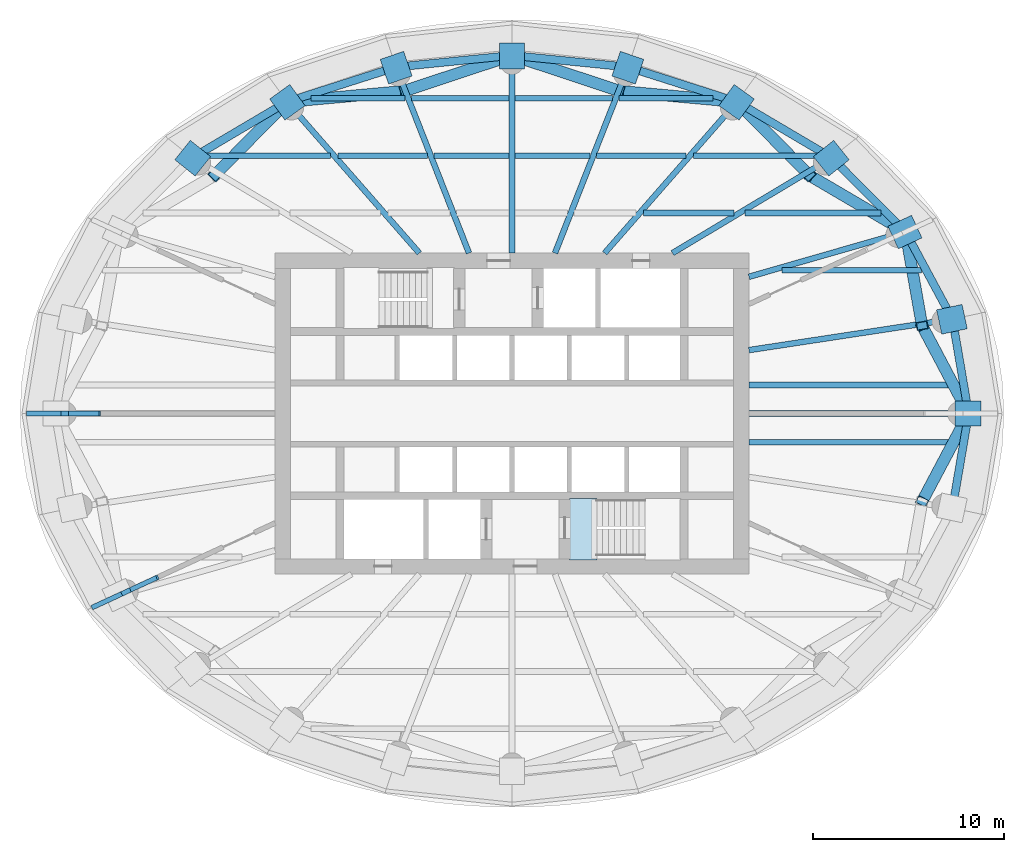
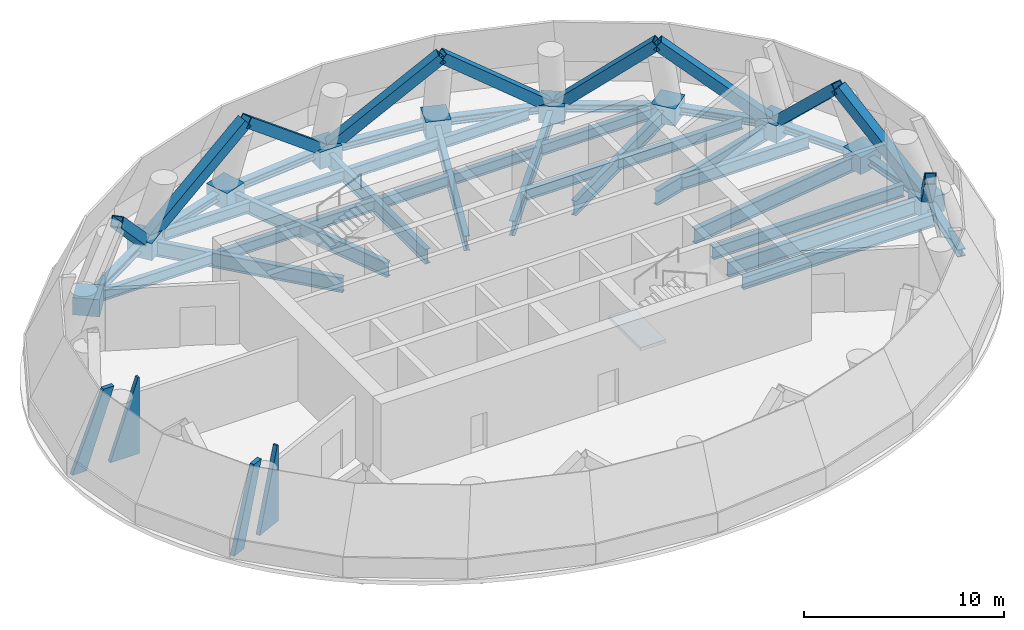
# One storey, part 3 of 7: 44 beams, 10 members, 4 plates, 1 slab, 1 element without a shape of its own.
"""IFC4 building model written with IfcOpenShell, lengths in metres."""

from ifc_helpers import new_model, si_unit, direction, frame, origin, origin_2d, place, context, subcontext, project, spatial, polyline, rectangle, hollow_rectangle, i_section, outline, extrude, material, layer, layer_set, material_profile, profile_set, type_object, element, aggregate, save


model = new_model("IFC4")

# Units and contexts
model_context = context("Model", 3, precision=1e-05, world=origin(), true_north=direction((0.0, 1.0)))
body_context = subcontext(model_context, "Body", "Model", "MODEL_VIEW")
ifc_project = project(units=[si_unit("LENGTHUNIT", "METRE"), si_unit("AREAUNIT", "SQUARE_METRE"), si_unit("VOLUMEUNIT", "CUBIC_METRE"), si_unit("PLANEANGLEUNIT", "RADIAN"), si_unit("MASSUNIT", "GRAM", prefix="KILO")], contexts=[model_context])

# Site, building, storey
site_placement = place(None, origin())
site = spatial("IfcSite", under=ifc_project, at=site_placement, CompositionType="ELEMENT")
building_placement = place(site_placement, origin())
building = spatial("IfcBuilding", under=site, at=building_placement, Name="Hankou Lantern Tower", CompositionType="ELEMENT")
storey_placement = place(building_placement, frame((0.0, 0.0, 138.60009765625)))
storey = spatial("IfcBuildingStorey", under=building, at=storey_placement, Name="L36", CompositionType="ELEMENT", Elevation=138.60009765625)

# Members
ifc_material_1 = material(Name="Steel Q390GJ", Category="steel")
ifc_material_profile_1 = material_profile(ifc_material_1, hollow_rectangle(XDim=0.60009765625, YDim=0.60009765625, WallThickness=0.0400390625, at=origin_2d()), Name="BOX600x600x40")
ifc_profile_set_1 = profile_set([ifc_material_profile_1], Name="Steel Q390GJ")
member_type = type_object("IfcMemberType", Name="BD1 BELT TRUSS DIAGONAL BOX600x600x40", PredefinedType="BRACE", material=ifc_profile_set_1)
member_1_placement = place(storey_placement, frame((23.89990234375, 0.0, -0.464111328125), z_axis=(-0.341868121713, 0.645347566232, 0.68311983291), x_axis=(-0.883666983267, -0.468116078215, 0.0)))
element("IfcMember", 1, at=member_1_placement, inside=storey, type_object=member_type, Name="Belt truss diagonal bay R01 L36", PredefinedType="BRACE", context=body_context, shape_type="SweptSolid", body=[
    extrude(hollow_rectangle(XDim=0.60009765625, YDim=0.60009765625, WallThickness=0.0400390625, at=origin_2d()), origin(), (0.0, 0.0, 1.0), 7.129150390625),
])
member_2_placement = place(storey_placement, frame((20.595703125, 9.5126953125, -0.464111328125), z_axis=(0.124362724822, -0.7046053677, 0.698616624826), x_axis=(0.984778630802, 0.17381325702, 0.0)))
element("IfcMember", 2, at=member_2_placement, inside=storey, type_object=member_type, Name="Belt truss diagonal bay R02 L36", PredefinedType="BRACE", context=body_context, shape_type="SweptSolid", body=[
    extrude(hollow_rectangle(XDim=0.60009765625, YDim=0.60009765625, WallThickness=0.0400390625, at=origin_2d()), origin(), (0.0, 0.0, 1.0), 6.97119140625),
])
member_3_placement = place(storey_placement, frame((20.595703125, 9.5126953125, -0.464111328125), z_axis=(-0.661347631005, 0.388445233075, 0.6416616023), x_axis=(-0.506455512251, -0.862266092405, 0.0)))
element("IfcMember", 3, at=member_3_placement, inside=storey, type_object=member_type, Name="Belt truss diagonal bay R03 L36", PredefinedType="BRACE", context=body_context, shape_type="SweptSolid", body=[
    extrude(hollow_rectangle(XDim=0.60009765625, YDim=0.60009765625, WallThickness=0.0400390625, at=origin_2d()), origin(), (0.0, 0.0, 1.0), 7.58984375),
])
member_4_placement = place(storey_placement, frame((11.775390625, 16.31640625, -0.464111328125), z_axis=(0.52193655794, -0.529446436471, 0.668781504225), x_axis=(0.71213937732, 0.702038109557, 0.0)))
element("IfcMember", 4, at=member_4_placement, inside=storey, type_object=member_type, Name="Belt truss diagonal bay R04 L36", PredefinedType="BRACE", context=body_context, shape_type="SweptSolid", body=[
    extrude(hollow_rectangle(XDim=0.60009765625, YDim=0.60009765625, WallThickness=0.0400390625, at=origin_2d()), origin(), (0.0, 0.0, 1.0), 7.281982421875),
])
member_5_placement = place(storey_placement, frame((11.775390625, 16.31640625, -0.464111328125), z_axis=(-0.780602595424, 0.071529817541, 0.620921148956), x_axis=(-0.091251790565, -0.99582785195, 0.0)))
element("IfcMember", 5, at=member_5_placement, inside=storey, type_object=member_type, Name="Belt truss diagonal bay R05 L36", PredefinedType="BRACE", context=body_context, shape_type="SweptSolid", body=[
    extrude(hollow_rectangle(XDim=0.60009765625, YDim=0.60009765625, WallThickness=0.0400390625, at=origin_2d()), origin(), (0.0, 0.0, 1.0), 7.84326171875),
])
for number, where, z_axis, x_axis, name in (
    (6, (0.0, 18.75, -0.464111328125), (0.734822034242, -0.243417336211, 0.633075491883), (0.314456093252, 0.949272018663, 0.0), "Belt truss diagonal bay R06 L36"),
    (7, (0.0, 18.75, -0.464111328125), (-0.734822034242, -0.243417336211, 0.633075491883), (0.314456093252, -0.949272018663, 0.0), "Belt truss diagonal bay R07 L36"),
):
    element("IfcMember", number, at=place(storey_placement, frame(where, z_axis=z_axis, x_axis=x_axis)), inside=storey, type_object=member_type, Name=name, PredefinedType="BRACE", context=body_context, shape_type="SweptSolid", body=[
        extrude(hollow_rectangle(XDim=0.60009765625, YDim=0.60009765625, WallThickness=0.0400390625, at=origin_2d()), origin(), (0.0, 0.0, 1.0), 7.69287109375),
    ])
member_6_placement = place(storey_placement, frame((-11.775390625, 16.31640625, -0.464111328125), z_axis=(0.780602595424, 0.071529817541, 0.620921148956), x_axis=(-0.091251790565, 0.99582785195, 0.0)))
element("IfcMember", 8, at=member_6_placement, inside=storey, type_object=member_type, Name="Belt truss diagonal bay R08 L36", PredefinedType="BRACE", context=body_context, shape_type="SweptSolid", body=[
    extrude(hollow_rectangle(XDim=0.60009765625, YDim=0.60009765625, WallThickness=0.0400390625, at=origin_2d()), origin(), (0.0, 0.0, 1.0), 7.84326171875),
])
member_7_placement = place(storey_placement, frame((-11.775390625, 16.31640625, -0.464111328125), z_axis=(-0.52193655794, -0.529446436471, 0.668781504225), x_axis=(0.71213937732, -0.702038109557, 0.0)))
element("IfcMember", 9, at=member_7_placement, inside=storey, type_object=member_type, Name="Belt truss diagonal bay R09 L36", PredefinedType="BRACE", context=body_context, shape_type="SweptSolid", body=[
    extrude(hollow_rectangle(XDim=0.60009765625, YDim=0.60009765625, WallThickness=0.0400390625, at=origin_2d()), origin(), (0.0, 0.0, 1.0), 7.281982421875),
])
member_8_placement = place(storey_placement, frame((23.89990234375, 0.0, -0.464111328125), z_axis=(-0.341868121713, -0.645347566232, 0.68311983291), x_axis=(0.883666983267, -0.468116078215, 0.0)))
element("IfcMember", 10, at=member_8_placement, inside=storey, type_object=member_type, Name="Belt truss diagonal bay R24 L36", PredefinedType="BRACE", context=body_context, shape_type="SweptSolid", body=[
    extrude(hollow_rectangle(XDim=0.60009765625, YDim=0.60009765625, WallThickness=0.0400390625, at=origin_2d()), origin(), (0.0, 0.0, 1.0), 7.129150390625),
])

# Beams
ifc_material_2 = material(Name="Steel Q355B", Category="steel")
ifc_material_profile_2 = material_profile(ifc_material_2, i_section(OverallWidth=0.4169921875, OverallDepth=0.4580078125, WebThickness=0.030029296875, FlangeThickness=0.050048828125, FilletRadius=0.02197265625, at=origin_2d()), Name="HW458x417x30x50")
ifc_profile_set_2 = profile_set([ifc_material_profile_2], Name="Steel Q355B")
beam_type_1 = type_object("IfcBeamType", Name="EB21 RING BEAM HW458x417x30x50", PredefinedType="SPANDREL", material=ifc_profile_set_2)
beam_1_placement = place(storey_placement, frame((23.89990234375, 0.0, -0.47900390625), z_axis=(-0.168527258545, 0.985696993567, 0.0), x_axis=(-0.985696993567, -0.168527258545, 0.0)))
element("IfcBeam", 11, at=beam_1_placement, inside=storey, type_object=beam_type_1, Name="Ring beam R01-R02 L36", PredefinedType="SPANDREL", context=body_context, shape_type="SweptSolid", body=[
    extrude(i_section(OverallWidth=0.4169921875, OverallDepth=0.4580078125, WebThickness=0.030029296875, FlangeThickness=0.050048828125, FilletRadius=0.02197265625, at=origin_2d()), origin(), (0.0, 0.0, 1.0), 5.013916015625),
])
beam_2_placement = place(storey_placement, frame((23.054931640625, 4.942138671875, -0.47900390625), z_axis=(-0.473824901673, 0.880619079145, 0.0), x_axis=(-0.880619079145, -0.473824901673, 0.0)))
element("IfcBeam", 12, at=beam_2_placement, inside=storey, type_object=beam_type_1, Name="Ring beam R02-R03 L36", PredefinedType="SPANDREL", context=body_context, shape_type="SweptSolid", body=[
    extrude(i_section(OverallWidth=0.4169921875, OverallDepth=0.4580078125, WebThickness=0.030029296875, FlangeThickness=0.050048828125, FilletRadius=0.02197265625, at=origin_2d()), origin(), (0.0, 0.0, 1.0), 5.190185546875),
])
beam_3_placement = place(storey_placement, frame((20.595703125, 9.5126953125, -0.47900390625), z_axis=(-0.705945468625, 0.708266189599, 0.0), x_axis=(-0.708266189599, -0.705945468625, 0.0)))
element("IfcBeam", 13, at=beam_3_placement, inside=storey, type_object=beam_type_1, Name="Ring beam R03-R04 L36", PredefinedType="SPANDREL", context=body_context, shape_type="SweptSolid", body=[
    extrude(i_section(OverallWidth=0.4169921875, OverallDepth=0.4580078125, WebThickness=0.030029296875, FlangeThickness=0.050048828125, FilletRadius=0.02197265625, at=origin_2d()), origin(), (0.0, 0.0, 1.0), 5.470458984375),
])
beam_4_placement = place(storey_placement, frame((16.73388671875, 13.38720703125, -0.47900390625), z_axis=(-0.860988974188, 0.508623619513, 0.0), x_axis=(-0.508623619513, -0.860988974188, 0.0)))
element("IfcBeam", 14, at=beam_4_placement, inside=storey, type_object=beam_type_1, Name="Ring beam R04-R05 L36", PredefinedType="SPANDREL", context=body_context, shape_type="SweptSolid", body=[
    extrude(i_section(OverallWidth=0.4169921875, OverallDepth=0.4580078125, WebThickness=0.030029296875, FlangeThickness=0.050048828125, FilletRadius=0.02197265625, at=origin_2d()), origin(), (0.0, 0.0, 1.0), 5.759033203125),
])
beam_5_placement = place(storey_placement, frame((11.775390625, 16.31640625, -0.47900390625), z_axis=(-0.952731090451, 0.303814860215, 0.0), x_axis=(-0.303814860215, -0.952731090451, 0.0)))
element("IfcBeam", 15, at=beam_5_placement, inside=storey, type_object=beam_type_1, Name="Ring beam R05-R06 L36", PredefinedType="SPANDREL", context=body_context, shape_type="SweptSolid", body=[
    extrude(i_section(OverallWidth=0.4169921875, OverallDepth=0.4580078125, WebThickness=0.030029296875, FlangeThickness=0.050048828125, FilletRadius=0.02197265625, at=origin_2d()), origin(), (0.0, 0.0, 1.0), 5.984375),
])
for number, where, z_axis, x_axis, name in (
    (16, (6.073974609375, 18.134521484375, -0.47900390625), (-0.994905271594, 0.100814188259, 0.0), (-0.100814188259, -0.994905271594, 0.0), "Ring beam R06-R07 L36"),
    (17, (0.0, 18.75, -0.47900390625), (-0.994905271594, -0.100814188259, 0.0), (0.100814188259, -0.994905271594, 0.0), "Ring beam R07-R08 L36"),
):
    element("IfcBeam", number, at=place(storey_placement, frame(where, z_axis=z_axis, x_axis=x_axis)), inside=storey, type_object=beam_type_1, Name=name, PredefinedType="SPANDREL", context=body_context, shape_type="SweptSolid", body=[
        extrude(i_section(OverallWidth=0.4169921875, OverallDepth=0.4580078125, WebThickness=0.030029296875, FlangeThickness=0.050048828125, FilletRadius=0.02197265625, at=origin_2d()), origin(), (0.0, 0.0, 1.0), 6.10498046875),
    ])
beam_6_placement = place(storey_placement, frame((-6.073974609375, 18.134521484375, -0.47900390625), z_axis=(-0.952731090451, -0.303814860215, 0.0), x_axis=(0.303814860215, -0.952731090451, 0.0)))
element("IfcBeam", 18, at=beam_6_placement, inside=storey, type_object=beam_type_1, Name="Ring beam R08-R09 L36", PredefinedType="SPANDREL", context=body_context, shape_type="SweptSolid", body=[
    extrude(i_section(OverallWidth=0.4169921875, OverallDepth=0.4580078125, WebThickness=0.030029296875, FlangeThickness=0.050048828125, FilletRadius=0.02197265625, at=origin_2d()), origin(), (0.0, 0.0, 1.0), 5.984375),
])
beam_7_placement = place(storey_placement, frame((-11.775390625, 16.31640625, -0.47900390625), z_axis=(-0.860988974188, -0.508623619513, 0.0), x_axis=(0.508623619513, -0.860988974188, 0.0)))
element("IfcBeam", 19, at=beam_7_placement, inside=storey, type_object=beam_type_1, Name="Ring beam R09-R10 L36", PredefinedType="SPANDREL", context=body_context, shape_type="SweptSolid", body=[
    extrude(i_section(OverallWidth=0.4169921875, OverallDepth=0.4580078125, WebThickness=0.030029296875, FlangeThickness=0.050048828125, FilletRadius=0.02197265625, at=origin_2d()), origin(), (0.0, 0.0, 1.0), 5.759033203125),
])
beam_8_placement = place(storey_placement, frame((23.054931640625, -4.942138671875, -0.47900390625), z_axis=(0.168527258545, 0.985696993567, 0.0), x_axis=(-0.985696993567, 0.168527258545, 0.0)))
element("IfcBeam", 20, at=beam_8_placement, inside=storey, type_object=beam_type_1, Name="Ring beam R24-R01 L36", PredefinedType="SPANDREL", context=body_context, shape_type="SweptSolid", body=[
    extrude(i_section(OverallWidth=0.4169921875, OverallDepth=0.4580078125, WebThickness=0.030029296875, FlangeThickness=0.050048828125, FilletRadius=0.02197265625, at=origin_2d()), origin(), (0.0, 0.0, 1.0), 5.013916015625),
])
ifc_material_3 = material(Name="Steel Q355B", Category="steel")
ifc_material_profile_3 = material_profile(ifc_material_3, i_section(OverallWidth=0.300048828125, OverallDepth=0.89990234375, WebThickness=0.01611328125, FlangeThickness=0.028076171875, FilletRadius=0.01806640625, at=origin_2d()), Name="HN900x300x16x28")
ifc_profile_set_3 = profile_set([ifc_material_profile_3], Name="Steel Q355B")
beam_type_2 = type_object("IfcBeamType", Name="RB13 RADIAL BEAM HN900x300x16x28", PredefinedType="BEAM", material=ifc_profile_set_3)
beam_9_placement = place(storey_placement, frame((12.39990234375, 0.0, -0.7001953125), z_axis=(1.0, 0.0, 0.0), x_axis=(0.0, 1.0, 0.0)))
element("IfcBeam", 21, at=beam_9_placement, inside=storey, type_object=beam_type_2, Name="Radial beam R01 L36", PredefinedType="BEAM", context=body_context, shape_type="SweptSolid", body=[
    extrude(i_section(OverallWidth=0.300048828125, OverallDepth=0.89990234375, WebThickness=0.01611328125, FlangeThickness=0.028076171875, FilletRadius=0.01806640625, at=origin_2d()), origin(), (0.0, 0.0, 1.0), 11.5),
])
beam_10_placement = place(storey_placement, frame((12.39990234375, 3.322509765625, -0.7001953125), z_axis=(0.988643506875, 0.150279793429, 0.0), x_axis=(-0.150279793429, 0.988643506875, 0.0)))
element("IfcBeam", 22, at=beam_10_placement, inside=storey, type_object=beam_type_2, Name="Radial beam R02 L36", PredefinedType="BEAM", context=body_context, shape_type="SweptSolid", body=[
    extrude(i_section(OverallWidth=0.300048828125, OverallDepth=0.89990234375, WebThickness=0.01611328125, FlangeThickness=0.028076171875, FilletRadius=0.01806640625, at=origin_2d()), origin(), (0.0, 0.0, 1.0), 10.77734375),
])
beam_11_placement = place(storey_placement, frame((12.39990234375, 7.1591796875, -0.7001953125), z_axis=(0.961155741911, 0.276006593745, 0.0), x_axis=(-0.276006593745, 0.961155741911, 0.0)))
element("IfcBeam", 23, at=beam_11_placement, inside=storey, type_object=beam_type_2, Name="Radial beam R03 L36", PredefinedType="BEAM", context=body_context, shape_type="SweptSolid", body=[
    extrude(i_section(OverallWidth=0.300048828125, OverallDepth=0.89990234375, WebThickness=0.01611328125, FlangeThickness=0.028076171875, FilletRadius=0.01806640625, at=origin_2d()), origin(), (0.0, 0.0, 1.0), 8.527099609375),
])
beam_12_placement = place(storey_placement, frame((8.39990234375, 8.39990234375, -0.7001953125), z_axis=(0.858086776551, 0.513504706802, 0.0), x_axis=(-0.513504706802, 0.858086776551, 0.0)))
element("IfcBeam", 24, at=beam_12_placement, inside=storey, type_object=beam_type_2, Name="Radial beam R04 L36", PredefinedType="BEAM", context=body_context, shape_type="SweptSolid", body=[
    extrude(i_section(OverallWidth=0.300048828125, OverallDepth=0.89990234375, WebThickness=0.01611328125, FlangeThickness=0.028076171875, FilletRadius=0.01806640625, at=origin_2d()), origin(), (0.0, 0.0, 1.0), 9.71240234375),
])
beam_13_placement = place(storey_placement, frame((4.849853515625, 8.39990234375, -0.7001953125), z_axis=(0.658429014446, 0.752642832249, 0.0), x_axis=(-0.752642832249, 0.658429014446, 0.0)))
element("IfcBeam", 25, at=beam_13_placement, inside=storey, type_object=beam_type_2, Name="Radial beam R05 L36", PredefinedType="BEAM", context=body_context, shape_type="SweptSolid", body=[
    extrude(i_section(OverallWidth=0.300048828125, OverallDepth=0.89990234375, WebThickness=0.01611328125, FlangeThickness=0.028076171875, FilletRadius=0.01806640625, at=origin_2d()), origin(), (0.0, 0.0, 1.0), 10.518310546875),
])
beam_14_placement = place(storey_placement, frame((2.250732421875, 8.39990234375, -0.7001953125), z_axis=(0.365563535437, 0.930786388791, 0.0), x_axis=(-0.930786388791, 0.365563535437, 0.0)))
element("IfcBeam", 26, at=beam_14_placement, inside=storey, type_object=beam_type_2, Name="Radial beam R06 L36", PredefinedType="BEAM", context=body_context, shape_type="SweptSolid", body=[
    extrude(i_section(OverallWidth=0.300048828125, OverallDepth=0.89990234375, WebThickness=0.01611328125, FlangeThickness=0.028076171875, FilletRadius=0.01806640625, at=origin_2d()), origin(), (0.0, 0.0, 1.0), 10.45849609375),
])
beam_15_placement = place(storey_placement, frame((0.0, 8.39990234375, -0.7001953125), z_axis=(0.0, 1.0, 0.0), x_axis=(-1.0, 0.0, 0.0)))
element("IfcBeam", 27, at=beam_15_placement, inside=storey, type_object=beam_type_2, Name="Radial beam R07 L36", PredefinedType="BEAM", context=body_context, shape_type="SweptSolid", body=[
    extrude(i_section(OverallWidth=0.300048828125, OverallDepth=0.89990234375, WebThickness=0.01611328125, FlangeThickness=0.028076171875, FilletRadius=0.01806640625, at=origin_2d()), origin(), (0.0, 0.0, 1.0), 10.35009765625),
])
beam_16_placement = place(storey_placement, frame((-2.250732421875, 8.39990234375, -0.7001953125), z_axis=(-0.365563535437, 0.930786388791, 0.0), x_axis=(-0.930786388791, -0.365563535437, 0.0)))
element("IfcBeam", 28, at=beam_16_placement, inside=storey, type_object=beam_type_2, Name="Radial beam R08 L36", PredefinedType="BEAM", context=body_context, shape_type="SweptSolid", body=[
    extrude(i_section(OverallWidth=0.300048828125, OverallDepth=0.89990234375, WebThickness=0.01611328125, FlangeThickness=0.028076171875, FilletRadius=0.01806640625, at=origin_2d()), origin(), (0.0, 0.0, 1.0), 10.45849609375),
])
beam_17_placement = place(storey_placement, frame((-4.849853515625, 8.39990234375, -0.7001953125), z_axis=(-0.658429014446, 0.752642832249, 0.0), x_axis=(-0.752642832249, -0.658429014446, 0.0)))
element("IfcBeam", 29, at=beam_17_placement, inside=storey, type_object=beam_type_2, Name="Radial beam R09 L36", PredefinedType="BEAM", context=body_context, shape_type="SweptSolid", body=[
    extrude(i_section(OverallWidth=0.300048828125, OverallDepth=0.89990234375, WebThickness=0.01611328125, FlangeThickness=0.028076171875, FilletRadius=0.01806640625, at=origin_2d()), origin(), (0.0, 0.0, 1.0), 10.518310546875),
])
ifc_material_4 = material(Name="Steel Q355B", Category="steel")
ifc_material_profile_4 = material_profile(ifc_material_4, i_section(OverallWidth=0.300048828125, OverallDepth=0.75, WebThickness=0.012939453125, FlangeThickness=0.02392578125, FilletRadius=0.01806640625, at=origin_2d()), Name="HN750x300x13x24")
ifc_profile_set_4 = profile_set([ifc_material_profile_4], Name="Steel Q355B")
beam_type_3 = type_object("IfcBeamType", Name="SB10 SECONDARY BEAM HN750x300x13x24", PredefinedType="JOIST", material=ifc_profile_set_4)
for number, where, z_axis, x_axis, name in (
    (30, (12.39990234375, -1.5, -0.625), (1.0, 0.0, 0.0), (0.0, 1.0, 0.0), "Floor joist J026 L36"),
    (31, (12.39990234375, 1.5, -0.625), (1.0, 0.0, 0.0), (0.0, 1.0, 0.0), "Floor joist J028 L36"),
):
    element("IfcBeam", number, at=place(storey_placement, frame(where, z_axis=z_axis, x_axis=x_axis)), inside=storey, type_object=beam_type_3, Name=name, PredefinedType="JOIST", context=body_context, shape_type="SweptSolid", body=[
        extrude(i_section(OverallWidth=0.300048828125, OverallDepth=0.75, WebThickness=0.012939453125, FlangeThickness=0.02392578125, FilletRadius=0.01806640625, at=origin_2d()), origin(), (0.0, 0.0, 1.0), 11.031982421875),
    ])
beam_18_placement = place(storey_placement, frame((14.13037109375, 7.5, -0.625), z_axis=(1.0, 0.0, 0.0), x_axis=(0.0, 1.0, 0.0)))
element("IfcBeam", 32, at=beam_18_placement, inside=storey, type_object=beam_type_3, Name="Floor joist J034 L36", PredefinedType="JOIST", context=body_context, shape_type="SweptSolid", body=[
    extrude(i_section(OverallWidth=0.300048828125, OverallDepth=0.75, WebThickness=0.012939453125, FlangeThickness=0.02392578125, FilletRadius=0.01806640625, at=origin_2d()), origin(), (0.0, 0.0, 1.0), 7.3115234375),
])
ifc_material_5 = material(Name="Steel Q355B", Category="steel")
ifc_material_profile_5 = material_profile(ifc_material_5, i_section(OverallWidth=0.300048828125, OverallDepth=0.64990234375, WebThickness=0.010986328125, FlangeThickness=0.01708984375, FilletRadius=0.01806640625, at=origin_2d()), Name="HN650x300x11x17")
ifc_profile_set_5 = profile_set([ifc_material_profile_5], Name="Steel Q355B")
beam_type_4 = type_object("IfcBeamType", Name="SB8 SECONDARY BEAM HN650x300x11x17", PredefinedType="JOIST", material=ifc_profile_set_5)
beam_19_placement = place(storey_placement, frame((6.88623046875, 10.5, -0.5751953125), z_axis=(1.0, 0.0, 0.0), x_axis=(0.0, 1.0, 0.0)))
element("IfcBeam", 33, at=beam_19_placement, inside=storey, type_object=beam_type_4, Name="Floor joist J041 L36", PredefinedType="JOIST", context=body_context, shape_type="SweptSolid", body=[
    extrude(i_section(OverallWidth=0.300048828125, OverallDepth=0.64990234375, WebThickness=0.010986328125, FlangeThickness=0.01708984375, FilletRadius=0.01806640625, at=origin_2d()), origin(), (0.0, 0.0, 1.0), 4.73095703125),
])
beam_20_placement = place(storey_placement, frame((12.201416015625, 10.5, -0.5751953125), z_axis=(1.0, 0.0, 0.0), x_axis=(0.0, 1.0, 0.0)))
element("IfcBeam", 34, at=beam_20_placement, inside=storey, type_object=beam_type_4, Name="Floor joist J042 L36", PredefinedType="JOIST", context=body_context, shape_type="SweptSolid", body=[
    extrude(i_section(OverallWidth=0.300048828125, OverallDepth=0.64990234375, WebThickness=0.010986328125, FlangeThickness=0.01708984375, FilletRadius=0.01806640625, at=origin_2d()), origin(), (0.0, 0.0, 1.0), 7.11572265625),
])
beam_21_placement = place(storey_placement, frame((-16.133056640625, 13.5, -0.5751953125), z_axis=(1.0, 0.0, 0.0), x_axis=(0.0, 1.0, 0.0)))
element("IfcBeam", 35, at=beam_21_placement, inside=storey, type_object=beam_type_4, Name="Floor joist J043 L36", PredefinedType="JOIST", context=body_context, shape_type="SweptSolid", body=[
    extrude(i_section(OverallWidth=0.300048828125, OverallDepth=0.64990234375, WebThickness=0.010986328125, FlangeThickness=0.01708984375, FilletRadius=0.01806640625, at=origin_2d()), origin(), (0.0, 0.0, 1.0), 6.622314453125),
])
beam_22_placement = place(storey_placement, frame((-9.112060546875, 13.5, -0.5751953125), z_axis=(1.0, 0.0, 0.0), x_axis=(0.0, 1.0, 0.0)))
element("IfcBeam", 36, at=beam_22_placement, inside=storey, type_object=beam_type_4, Name="Floor joist J044 L36", PredefinedType="JOIST", context=body_context, shape_type="SweptSolid", body=[
    extrude(i_section(OverallWidth=0.300048828125, OverallDepth=0.64990234375, WebThickness=0.010986328125, FlangeThickness=0.01708984375, FilletRadius=0.01806640625, at=origin_2d()), origin(), (0.0, 0.0, 1.0), 4.697021484375),
])
for number, where, z_axis, x_axis, name in (
    (37, (-4.092529296875, 13.5, -0.5751953125), (1.0, 0.0, 0.0), (0.0, 1.0, 0.0), "Floor joist J045 L36"),
    (38, (0.14990234375, 13.5, -0.5751953125), (1.0, 0.0, 0.0), (0.0, 1.0, 0.0), "Floor joist J046 L36"),
):
    element("IfcBeam", number, at=place(storey_placement, frame(where, z_axis=z_axis, x_axis=x_axis)), inside=storey, type_object=beam_type_4, Name=name, PredefinedType="JOIST", context=body_context, shape_type="SweptSolid", body=[
        extrude(i_section(OverallWidth=0.300048828125, OverallDepth=0.64990234375, WebThickness=0.010986328125, FlangeThickness=0.01708984375, FilletRadius=0.01806640625, at=origin_2d()), origin(), (0.0, 0.0, 1.0), 3.942626953125),
    ])
beam_23_placement = place(storey_placement, frame((4.4150390625, 13.5, -0.5751953125), z_axis=(1.0, 0.0, 0.0), x_axis=(0.0, 1.0, 0.0)))
element("IfcBeam", 39, at=beam_23_placement, inside=storey, type_object=beam_type_4, Name="Floor joist J047 L36", PredefinedType="JOIST", context=body_context, shape_type="SweptSolid", body=[
    extrude(i_section(OverallWidth=0.300048828125, OverallDepth=0.64990234375, WebThickness=0.010986328125, FlangeThickness=0.01708984375, FilletRadius=0.01806640625, at=origin_2d()), origin(), (0.0, 0.0, 1.0), 4.697021484375),
])
beam_24_placement = place(storey_placement, frame((9.5107421875, 13.5, -0.5751953125), z_axis=(1.0, 0.0, 0.0), x_axis=(0.0, 1.0, 0.0)))
element("IfcBeam", 40, at=beam_24_placement, inside=storey, type_object=beam_type_4, Name="Floor joist J048 L36", PredefinedType="JOIST", context=body_context, shape_type="SweptSolid", body=[
    extrude(i_section(OverallWidth=0.300048828125, OverallDepth=0.64990234375, WebThickness=0.010986328125, FlangeThickness=0.01708984375, FilletRadius=0.01806640625, at=origin_2d()), origin(), (0.0, 0.0, 1.0), 6.622314453125),
])
beam_25_placement = place(storey_placement, frame((-10.512939453125, 16.5, -0.5751953125), z_axis=(1.0, 0.0, 0.0), x_axis=(0.0, 1.0, 0.0)))
element("IfcBeam", 41, at=beam_25_placement, inside=storey, type_object=beam_type_4, Name="Floor joist J049 L36", PredefinedType="JOIST", context=body_context, shape_type="SweptSolid", body=[
    extrude(i_section(OverallWidth=0.300048828125, OverallDepth=0.64990234375, WebThickness=0.010986328125, FlangeThickness=0.01708984375, FilletRadius=0.01806640625, at=origin_2d()), origin(), (0.0, 0.0, 1.0), 4.919677734375),
])
for number, where, z_axis, x_axis, name in (
    (42, (-5.270751953125, 16.5, -0.5751953125), (1.0, 0.0, 0.0), (0.0, 1.0, 0.0), "Floor joist J050 L36"),
    (43, (0.14990234375, 16.5, -0.5751953125), (1.0, 0.0, 0.0), (0.0, 1.0, 0.0), "Floor joist J051 L36"),
):
    element("IfcBeam", number, at=place(storey_placement, frame(where, z_axis=z_axis, x_axis=x_axis)), inside=storey, type_object=beam_type_4, Name=name, PredefinedType="JOIST", context=body_context, shape_type="SweptSolid", body=[
        extrude(i_section(OverallWidth=0.300048828125, OverallDepth=0.64990234375, WebThickness=0.010986328125, FlangeThickness=0.01708984375, FilletRadius=0.01806640625, at=origin_2d()), origin(), (0.0, 0.0, 1.0), 5.120849609375),
    ])
beam_26_placement = place(storey_placement, frame((5.59326171875, 16.5, -0.5751953125), z_axis=(1.0, 0.0, 0.0), x_axis=(0.0, 1.0, 0.0)))
element("IfcBeam", 44, at=beam_26_placement, inside=storey, type_object=beam_type_4, Name="Floor joist J052 L36", PredefinedType="JOIST", context=body_context, shape_type="SweptSolid", body=[
    extrude(i_section(OverallWidth=0.300048828125, OverallDepth=0.64990234375, WebThickness=0.010986328125, FlangeThickness=0.01708984375, FilletRadius=0.01806640625, at=origin_2d()), origin(), (0.0, 0.0, 1.0), 4.919677734375),
])
ifc_material_6 = material(Name="Concrete C60", Category="concrete")
ifc_material_profile_6 = material_profile(ifc_material_6, rectangle(XDim=1.300048828125, YDim=1.050048828125, at=origin_2d()), Name="RC 1300x1050")
ifc_profile_set_6 = profile_set([ifc_material_profile_6], Name="Concrete C60")
beam_type_5 = type_object("IfcBeamType", Name="TN2 TRANSFER NODE RC 1300x1050", PredefinedType="BEAM", material=ifc_profile_set_6)
for number, where, z_axis, x_axis, name in (
    (45, (24.550048828125, 0.0, -0.525146484375), (-1.0, 0.0, 0.0), (0.0, -1.0, 0.0), "Transfer node R01 L36"),
    (46, (23.6904296875, 5.078369140625, -0.525146484375), (-0.977784088911, -0.209614587928, 0.0), (0.209614587928, -0.977784088911, 0.0), "Transfer node R02 L36"),
    (47, (21.185791015625, 9.785400390625, -0.525146484375), (-0.907807526406, -0.419387046773, 0.0), (0.419387046773, -0.907807526406, 0.0), "Transfer node R03 L36"),
    (48, (17.241455078125, 13.793212890625, -0.525146484375), (-0.780851360531, -0.62471685807, 0.0), (0.62471685807, -0.780851360531, 0.0), "Transfer node R04 L36"),
    (49, (12.15576171875, 16.843505859375, -0.525146484375), (-0.585190136346, -0.810896111918, 0.0), (0.810896111918, -0.585190136346, 0.0), "Transfer node R05 L36"),
    (50, (6.2802734375, 18.750732421875, -0.525146484375), (-0.317676258539, -0.948199237903, 0.0), (0.948199237903, -0.317676258539, 0.0), "Transfer node R06 L36"),
    (51, (0.0, 19.39990234375, -0.525146484375), (0.0, -1.0, 0.0), (1.0, 0.0, 0.0), "Transfer node R07 L36"),
    (52, (-6.2802734375, 18.750732421875, -0.525146484375), (0.317676258539, -0.948199237903, 0.0), (0.948199237903, 0.317676258539, 0.0), "Transfer node R08 L36"),
    (53, (-12.15576171875, 16.843505859375, -0.525146484375), (0.585190136346, -0.810896111918, 0.0), (0.810896111918, 0.585190136346, 0.0), "Transfer node R09 L36"),
    (54, (-17.241455078125, 13.793212890625, -0.525146484375), (0.780851360531, -0.62471685807, 0.0), (0.62471685807, 0.780851360531, 0.0), "Transfer node R10 L36"),
):
    element("IfcBeam", number, at=place(storey_placement, frame(where, z_axis=z_axis, x_axis=x_axis)), inside=storey, type_object=beam_type_5, Name=name, PredefinedType="BEAM", context=body_context, shape_type="SweptSolid", body=[
        extrude(rectangle(XDim=1.300048828125, YDim=1.050048828125, at=origin_2d()), origin(), (0.0, 0.0, 1.0), 1.364990234375),
    ])

# Plates
ifc_material_7 = material(Name="Fire-rated calcium silicate board on steel studs", Category="steel")
ifc_layer_1 = layer(ifc_material_7, 0.25)
ifc_layer_set_1 = layer_set([ifc_layer_1], Name="Fire-rated calcium silicate board on steel studs")
plate_type = type_object("IfcPlateType", Name="FC1 FIRE CLOSURE PANEL", PredefinedType="USERDEFINED", material=ifc_layer_set_1)
plate_1_placement = place(storey_placement, frame((-18.461669921875, -8.664794921875, 0.0), z_axis=(0.419402376708, -0.907800444134, -6.552463e-06), x_axis=(-0.907800444153, -0.419402376717, -1.23e-10)))
element("IfcPlate", 55, at=plate_1_placement, inside=storey, type_object=plate_type, Name="Fire closure panel R15 inner L36", ObjectType="FIRE CLOSURE", PredefinedType="USERDEFINED", context=body_context, shape_type="SweptSolid", body=[
    extrude(outline(polyline([(0.0, 0.0), (1.609032770169032, 8.470329472543003e-22), (0.1000583426971336, -4.619873046986511), (-5.695139117115298e-10, -4.619873046775823), (0.0, 0.0)])), origin(), (0.0, 0.0, -1.0), 0.25),
])
plate_2_placement = place(storey_placement, frame((-21.1640625, -9.912841796875, 0.0), z_axis=(0.419316926769, -0.907839916968, -9.160366e-06), x_axis=(-0.907839917006, -0.419316926787, -2.3e-10)))
element("IfcPlate", 56, at=plate_2_placement, inside=storey, type_object=plate_type, Name="Fire closure panel R15 outer L36", ObjectType="FIRE CLOSURE", PredefinedType="USERDEFINED", context=body_context, shape_type="SweptSolid", body=[
    extrude(outline(polyline([(0.0, 0.0), (0.8530194127164952, 4.235164736271502e-22), (-0.8664560068383167, -4.619873046869352), (-1.5091960675848435, -4.619873046524989), (0.0, 0.0)])), origin(), (0.0, 0.0, -1.0), 0.25),
])
plate_3_placement = place(storey_placement, frame((-21.524658203125, 0.125, 0.0), z_axis=(0.0, 1.0, 0.0), x_axis=(-1.0, 0.0, 0.0)))
element("IfcPlate", 57, at=plate_3_placement, inside=storey, type_object=plate_type, Name="Fire closure panel R13 inner L36", ObjectType="FIRE CLOSURE", PredefinedType="USERDEFINED", context=body_context, shape_type="SweptSolid", body=[
    extrude(outline(polyline([(0.0, 0.0), (1.68798828125, 0.0), (0.099853515625, 4.619873046875), (0.0, 4.619873046875), (0.0, 0.0)])), origin(), (0.0, 0.0, -1.0), 0.25),
])
plate_4_placement = place(storey_placement, frame((-24.58740234375, 0.125, 0.0), z_axis=(0.0, 1.0, 0.0), x_axis=(-1.0, 0.0, 0.0)))
element("IfcPlate", 58, at=plate_4_placement, inside=storey, type_object=plate_type, Name="Fire closure panel R13 outer L36", ObjectType="FIRE CLOSURE", PredefinedType="USERDEFINED", context=body_context, shape_type="SweptSolid", body=[
    extrude(outline(polyline([(0.0, 0.0), (0.8125, 0.0), (-0.9873046875, 4.619873046875), (-1.588134765625, 4.619873046875), (0.0, 0.0)])), origin(), (0.0, 0.0, -1.0), 0.25),
])

# Stair, slab
ifc_material_8 = material(Name="Concrete C40", Category="concrete")
stair_type = type_object("IfcStairType", Name="ST48 CORE STAIR 4800 RISE", PredefinedType="HALF_TURN_STAIR", material=ifc_material_8)
stair_placement = place(storey_placement, origin())
stair = element("IfcStair", 59, at=stair_placement, inside=storey, type_object=stair_type, Name="Stair STB L36", PredefinedType="HALF_TURN_STAIR")
ifc_material_9 = material(Name="Concrete C40", Category="concrete")
ifc_layer_2 = layer(ifc_material_9, 0.199951171875)
ifc_layer_set_2 = layer_set([ifc_layer_2], Name="Concrete C40")
slab_type = type_object("IfcSlabType", Name="SL1 STAIR LANDING 200", PredefinedType="LANDING", material=ifc_layer_set_2)
slab_placement = place(storey_placement, frame((0.0, 0.0, 2.199951171875)))
slab = element("IfcSlab", 60, at=slab_placement, type_object=slab_type, Name="STB landing 2", PredefinedType="LANDING", context=body_context, shape_type="SweptSolid", body=[
    extrude(outline(polyline([(4.449951171875, -4.449951171875), (3.0, -4.449951171875), (3.0, -7.64990234375), (4.449951171875, -7.64990234375), (4.449951171875, -4.449951171875)])), origin(), (0.0, 0.0, 1.0), 0.199951171875),
])
aggregate(stair, [slab])

save(model, "model.ifc")
